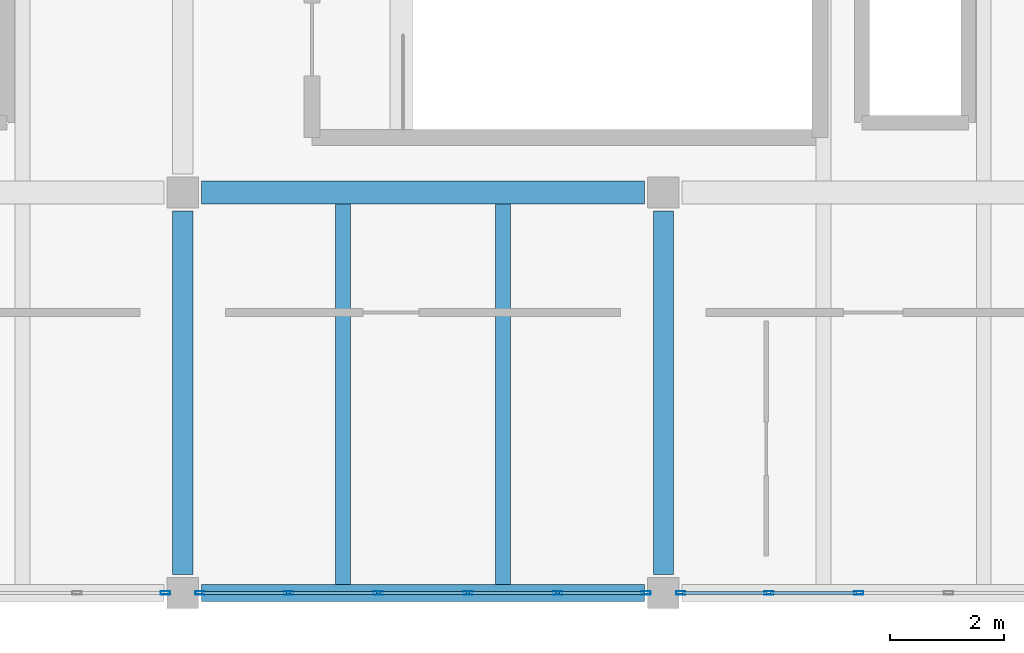
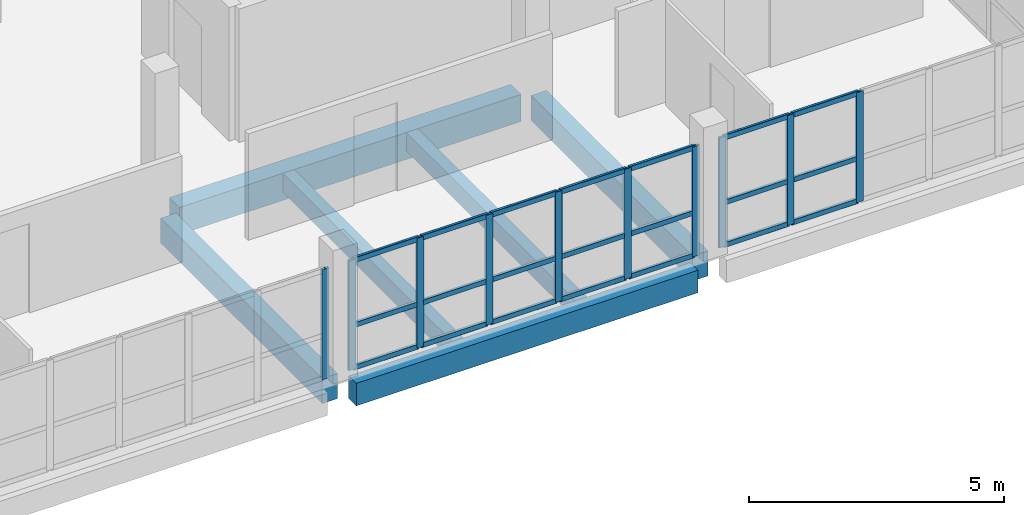
# One storey, part 6 of 24: 31 members, 6 beams, 3 elements without a shape of their own.
"""IFC4 building model written with IfcOpenShell, lengths in metres."""

from ifc_helpers import new_model, si_unit, direction, frame, origin, origin_2d, place, context, subcontext, project, spatial, rectangle, hollow_rectangle, extrude, material, layer, layer_set, material_profile, profile_set, type_object, element, aggregate, save


model = new_model("IFC4")

# Units and contexts
model_context = context("Model", 3, precision=1e-05, world=origin(), true_north=direction((0.0, 1.0)))
body_context = subcontext(model_context, "Body", "Model", "MODEL_VIEW")
ifc_project = project(units=[si_unit("LENGTHUNIT", "METRE"), si_unit("AREAUNIT", "SQUARE_METRE"), si_unit("VOLUMEUNIT", "CUBIC_METRE"), si_unit("PLANEANGLEUNIT", "RADIAN"), si_unit("MASSUNIT", "GRAM", prefix="KILO"), si_unit("THERMODYNAMICTEMPERATUREUNIT", "KELVIN"), si_unit("POWERUNIT", "WATT")], contexts=[model_context])

# Site, building, storey
site_placement = place(None, origin())
site = spatial("IfcSite", under=ifc_project, at=site_placement, CompositionType="ELEMENT")
building_placement = place(site_placement, origin())
building = spatial("IfcBuilding", under=site, at=building_placement, Name="Mavoryth Pier Ferry Terminal", CompositionType="ELEMENT")
storey_placement = place(building_placement, frame((0.0, 0.0, 16.320068359375)))
storey = spatial("IfcBuildingStorey", under=building, at=storey_placement, Name="L04", CompositionType="ELEMENT", Elevation=16.320068359375)

# Beams
ifc_material_1 = material(Name="Concrete C35/45", Category="concrete")
ifc_material_profile_1 = material_profile(ifc_material_1, rectangle(XDim=0.35009765625, YDim=0.60009765625, at=origin_2d()), Name="RC 350x600", Category="concrete")
ifc_profile_set_1 = profile_set([ifc_material_profile_1], Name="Concrete C35/45 - RC 350x600")
beam_type_1 = type_object("IfcBeamType", Name="Girder-RC-350x600", PredefinedType="BEAM", material=ifc_profile_set_1)
for number, where, z_axis, x_axis, name in (
    (1, (58.800048828125, 0.324951171875, -0.56005859375), (0.0, 1.0, 0.0), (-1.0, 0.0, 0.0), "Beam B04-BG08-1482"),
    (2, (67.199951171875, 0.324951171875, -0.56005859375), (0.0, 1.0, 0.0), (-1.0, 0.0, 0.0), "Beam B04-BG08-1484"),
):
    element("IfcBeam", number, at=place(storey_placement, frame(where, z_axis=z_axis, x_axis=x_axis)), inside=storey, type_object=beam_type_1, Name=name, PredefinedType="BEAM", context=body_context, shape_type="SweptSolid", body=[
        extrude(rectangle(XDim=0.35009765625, YDim=0.60009765625, at=origin_2d()), origin(), (0.0, 0.0, 1.0), 6.35009765625),
    ])
ifc_material_profile_2 = material_profile(ifc_material_1, rectangle(XDim=0.39990234375, YDim=0.64990234375, at=origin_2d()), Name="RC 400x650", Category="concrete")
ifc_profile_set_2 = profile_set([ifc_material_profile_2], Name="Concrete C35/45 - RC 400x650")
beam_type_2 = type_object("IfcBeamType", Name="Girder-RC-400x650", PredefinedType="BEAM", material=ifc_profile_set_2)
beam_1_placement = place(storey_placement, frame((59.125, 7.0, -0.5849609375), z_axis=(1.0, 0.0, 0.0), x_axis=(0.0, 1.0, 0.0)))
element("IfcBeam", 3, at=beam_1_placement, inside=storey, type_object=beam_type_2, Name="Beam B04-BG05-1464", PredefinedType="BEAM", context=body_context, shape_type="SweptSolid", body=[
    extrude(rectangle(XDim=0.39990234375, YDim=0.64990234375, at=origin_2d()), origin(), (0.0, 0.0, 1.0), 7.75),
])
ifc_material_profile_3 = material_profile(ifc_material_1, rectangle(XDim=0.260009765625, YDim=0.449951171875, at=origin_2d()), Name="RC 260x450", Category="concrete")
ifc_profile_set_3 = profile_set([ifc_material_profile_3], Name="Concrete C35/45 - RC 260x450")
beam_type_3 = type_object("IfcBeamType", Name="Joist-RC-260x450", PredefinedType="JOIST", material=ifc_profile_set_3)
for number, where, z_axis, x_axis, name in (
    (4, (61.60009765625, 0.14990234375, -0.485107421875), (0.0, 1.0, 0.0), (-1.0, 0.0, 0.0), "Beam B04-BJ03-1502"),
    (5, (64.39990234375, 0.14990234375, -0.485107421875), (0.0, 1.0, 0.0), (-1.0, 0.0, 0.0), "Beam B04-BJ03-1503"),
):
    element("IfcBeam", number, at=place(storey_placement, frame(where, z_axis=z_axis, x_axis=x_axis)), inside=storey, type_object=beam_type_3, Name=name, PredefinedType="JOIST", context=body_context, shape_type="SweptSolid", body=[
        extrude(rectangle(XDim=0.260009765625, YDim=0.449951171875, at=origin_2d()), origin(), (0.0, 0.0, 1.0), 6.650146484375),
    ])

# Curtain wall, member
ifc_material_2 = material(Name="Anodised Aluminium and Solar-Control Low-E Glass", Category="aluminium")
ifc_layer = layer(ifc_material_2, 0.260009765625, Name="Anodised Aluminium and Solar-Control Low-E Glass", Category="aluminium")
ifc_layer_set = layer_set([ifc_layer], Name="Anodised Aluminium and Solar-Control Low-E Glass - CW-VTSBridge-Mod1500")
curtain_wall_type = type_object("IfcCurtainWallType", Name="CW-VTSBridge-Mod1500", PredefinedType="USERDEFINED", material=ifc_layer_set)
curtain_wall_1_placement = place(storey_placement, origin())
curtain_wall_1 = element("IfcCurtainWall", 6, at=curtain_wall_1_placement, inside=storey, type_object=curtain_wall_type, Name="Curtain Wall CW-0422-151", ObjectType="UNITISED CURTAIN WALL", PredefinedType="USERDEFINED")
ifc_material_3 = material(Name="Anodised Aluminium EN AW-6063", Category="aluminium")
ifc_material_profile_4 = material_profile(ifc_material_3, hollow_rectangle(XDim=0.06005859375, YDim=0.1650390625, WallThickness=0.00390625, InnerFilletRadius=0.00390625, OuterFilletRadius=0.008056640625, at=origin_2d()), Name="AL-MULL 165x60x4", Category="aluminium")
ifc_profile_set_4 = profile_set([ifc_material_profile_4], Name="Anodised Aluminium EN AW-6063 - AL-MULL 165x60x4")
member_type_1 = type_object("IfcMemberType", Name="Mullion-Alum-165x60", PredefinedType="MULLION", material=ifc_profile_set_4)
member_1_placement = place(storey_placement, frame((58.4951171875, 0.0, 0.0), z_axis=(0.0, 0.0, 1.0), x_axis=(0.0, 1.0, 0.0)))
member_1 = element("IfcMember", 7, at=member_1_placement, type_object=member_type_1, Name="CW07 mullion 6", PredefinedType="MULLION", context=body_context, shape_type="SweptSolid", body=[
    extrude(hollow_rectangle(XDim=0.06005859375, YDim=0.1650390625, WallThickness=0.00390625, InnerFilletRadius=0.00390625, OuterFilletRadius=0.008056640625, at=origin_2d()), origin(), (0.0, 0.0, 1.0), 2.635009765625),
])
aggregate(curtain_wall_1, [member_1])

# Curtain wall, members
curtain_wall_2_placement = place(storey_placement, origin())
curtain_wall_2 = element("IfcCurtainWall", 8, at=curtain_wall_2_placement, inside=storey, type_object=curtain_wall_type, Name="Curtain Wall CW-0422-153", ObjectType="UNITISED CURTAIN WALL", PredefinedType="USERDEFINED")
member_2_placement = place(storey_placement, frame((59.10498046875, 0.0, 0.0), z_axis=(0.0, 0.0, 1.0), x_axis=(0.0, 1.0, 0.0)))
member_2 = element("IfcMember", 9, at=member_2_placement, type_object=member_type_1, Name="CW07 mullion 1", PredefinedType="MULLION", context=body_context, shape_type="SweptSolid", body=[
    extrude(hollow_rectangle(XDim=0.06005859375, YDim=0.1650390625, WallThickness=0.00390625, InnerFilletRadius=0.00390625, OuterFilletRadius=0.008056640625, at=origin_2d()), origin(), (0.0, 0.0, 1.0), 2.635009765625),
])
member_3_placement = place(storey_placement, frame((60.64501953125, 0.0, 0.0), z_axis=(0.0, 0.0, 1.0), x_axis=(0.0, 1.0, 0.0)))
member_3 = element("IfcMember", 10, at=member_3_placement, type_object=member_type_1, Name="CW07 mullion 2", PredefinedType="MULLION", context=body_context, shape_type="SweptSolid", body=[
    extrude(hollow_rectangle(XDim=0.06005859375, YDim=0.1650390625, WallThickness=0.00390625, InnerFilletRadius=0.00390625, OuterFilletRadius=0.008056640625, at=origin_2d()), origin(), (0.0, 0.0, 1.0), 2.635009765625),
])
member_4_placement = place(storey_placement, frame((62.215087890625, 0.0, 0.0), z_axis=(0.0, 0.0, 1.0), x_axis=(0.0, 1.0, 0.0)))
member_4 = element("IfcMember", 11, at=member_4_placement, type_object=member_type_1, Name="CW07 mullion 3", PredefinedType="MULLION", context=body_context, shape_type="SweptSolid", body=[
    extrude(hollow_rectangle(XDim=0.06005859375, YDim=0.1650390625, WallThickness=0.00390625, InnerFilletRadius=0.00390625, OuterFilletRadius=0.008056640625, at=origin_2d()), origin(), (0.0, 0.0, 1.0), 2.635009765625),
])
member_5_placement = place(storey_placement, frame((63.784912109375, 0.0, 0.0), z_axis=(0.0, 0.0, 1.0), x_axis=(0.0, 1.0, 0.0)))
member_5 = element("IfcMember", 12, at=member_5_placement, type_object=member_type_1, Name="CW07 mullion 4", PredefinedType="MULLION", context=body_context, shape_type="SweptSolid", body=[
    extrude(hollow_rectangle(XDim=0.06005859375, YDim=0.1650390625, WallThickness=0.00390625, InnerFilletRadius=0.00390625, OuterFilletRadius=0.008056640625, at=origin_2d()), origin(), (0.0, 0.0, 1.0), 2.635009765625),
])
member_6_placement = place(storey_placement, frame((65.35498046875, 0.0, 0.0), z_axis=(0.0, 0.0, 1.0), x_axis=(0.0, 1.0, 0.0)))
member_6 = element("IfcMember", 13, at=member_6_placement, type_object=member_type_1, Name="CW07 mullion 5", PredefinedType="MULLION", context=body_context, shape_type="SweptSolid", body=[
    extrude(hollow_rectangle(XDim=0.06005859375, YDim=0.1650390625, WallThickness=0.00390625, InnerFilletRadius=0.00390625, OuterFilletRadius=0.008056640625, at=origin_2d()), origin(), (0.0, 0.0, 1.0), 2.635009765625),
])
member_7_placement = place(storey_placement, frame((66.89501953125, 0.0, 0.0), z_axis=(0.0, 0.0, 1.0), x_axis=(0.0, 1.0, 0.0)))
member_7 = element("IfcMember", 14, at=member_7_placement, type_object=member_type_1, Name="CW07 mullion 6", PredefinedType="MULLION", context=body_context, shape_type="SweptSolid", body=[
    extrude(hollow_rectangle(XDim=0.06005859375, YDim=0.1650390625, WallThickness=0.00390625, InnerFilletRadius=0.00390625, OuterFilletRadius=0.008056640625, at=origin_2d()), origin(), (0.0, 0.0, 1.0), 2.635009765625),
])

curtain_wall_3_placement = place(storey_placement, origin())
curtain_wall_3 = element("IfcCurtainWall", 15, at=curtain_wall_3_placement, inside=storey, type_object=curtain_wall_type, Name="Curtain Wall CW-0422-155", ObjectType="UNITISED CURTAIN WALL", PredefinedType="USERDEFINED")
member_8_placement = place(storey_placement, frame((67.5048828125, 0.0, 0.0), z_axis=(0.0, 0.0, 1.0), x_axis=(0.0, 1.0, 0.0)))
member_8 = element("IfcMember", 16, at=member_8_placement, type_object=member_type_1, Name="CW07 mullion 1", PredefinedType="MULLION", context=body_context, shape_type="SweptSolid", body=[
    extrude(hollow_rectangle(XDim=0.06005859375, YDim=0.1650390625, WallThickness=0.00390625, InnerFilletRadius=0.00390625, OuterFilletRadius=0.008056640625, at=origin_2d()), origin(), (0.0, 0.0, 1.0), 2.635009765625),
])
member_9_placement = place(storey_placement, frame((69.044921875, 0.0, 0.0), z_axis=(0.0, 0.0, 1.0), x_axis=(0.0, 1.0, 0.0)))
member_9 = element("IfcMember", 17, at=member_9_placement, type_object=member_type_1, Name="CW07 mullion 2", PredefinedType="MULLION", context=body_context, shape_type="SweptSolid", body=[
    extrude(hollow_rectangle(XDim=0.06005859375, YDim=0.1650390625, WallThickness=0.00390625, InnerFilletRadius=0.00390625, OuterFilletRadius=0.008056640625, at=origin_2d()), origin(), (0.0, 0.0, 1.0), 2.635009765625),
])
member_10_placement = place(storey_placement, frame((70.614990234375, 0.0, 0.0), z_axis=(0.0, 0.0, 1.0), x_axis=(0.0, 1.0, 0.0)))
member_10 = element("IfcMember", 18, at=member_10_placement, type_object=member_type_1, Name="CW07 mullion 3", PredefinedType="MULLION", context=body_context, shape_type="SweptSolid", body=[
    extrude(hollow_rectangle(XDim=0.06005859375, YDim=0.1650390625, WallThickness=0.00390625, InnerFilletRadius=0.00390625, OuterFilletRadius=0.008056640625, at=origin_2d()), origin(), (0.0, 0.0, 1.0), 2.635009765625),
])

# Beam
ifc_material_profile_5 = material_profile(ifc_material_1, rectangle(XDim=0.300048828125, YDim=0.5400390625, at=origin_2d()), Name="RC 300x540", Category="concrete")
ifc_profile_set_5 = profile_set([ifc_material_profile_5], Name="Concrete C35/45 - RC 300x540")
beam_type_4 = type_object("IfcBeamType", Name="Spandrel-RC-300x540", PredefinedType="SPANDREL", material=ifc_profile_set_5)
beam_2_placement = place(storey_placement, frame((59.125, 0.0, -0.530029296875), z_axis=(1.0, 0.0, 0.0), x_axis=(0.0, 1.0, 0.0)))
element("IfcBeam", 19, at=beam_2_placement, inside=storey, type_object=beam_type_4, Name="Beam B04-SP02-1459", PredefinedType="SPANDREL", context=body_context, shape_type="SweptSolid", body=[
    extrude(rectangle(XDim=0.300048828125, YDim=0.5400390625, at=origin_2d()), origin(), (0.0, 0.0, 1.0), 7.75),
])

# Member
ifc_material_profile_6 = material_profile(ifc_material_3, hollow_rectangle(XDim=0.06005859375, YDim=0.125, WallThickness=0.00390625, InnerFilletRadius=0.00390625, OuterFilletRadius=0.008056640625, at=origin_2d()), Name="AL-TRAN 125x60x4", Category="aluminium")
ifc_profile_set_6 = profile_set([ifc_material_profile_6], Name="Anodised Aluminium EN AW-6063 - AL-TRAN 125x60x4")
member_type_2 = type_object("IfcMemberType", Name="Transom-Alum-125x60", PredefinedType="USERDEFINED", material=ifc_profile_set_6)
member_11_placement = place(storey_placement, frame((59.135009765625, 0.0, 0.030029296875), z_axis=(1.0, 0.0, 0.0), x_axis=(0.0, 1.0, 0.0)))
member_11 = element("IfcMember", 20, at=member_11_placement, type_object=member_type_2, Name="CW07 transom 1.1", ObjectType="TRANSOM", PredefinedType="USERDEFINED", context=body_context, shape_type="SweptSolid", body=[
    extrude(hollow_rectangle(XDim=0.06005859375, YDim=0.125, WallThickness=0.00390625, InnerFilletRadius=0.00390625, OuterFilletRadius=0.008056640625, at=origin_2d()), origin(), (0.0, 0.0, 1.0), 1.47998046875),
])

member_12_placement = place(storey_placement, frame((59.135009765625, 0.0, 1.050048828125), z_axis=(1.0, 0.0, 0.0), x_axis=(0.0, 1.0, 0.0)))
member_12 = element("IfcMember", 21, at=member_12_placement, type_object=member_type_2, Name="CW07 transom 1.2", ObjectType="TRANSOM", PredefinedType="USERDEFINED", context=body_context, shape_type="SweptSolid", body=[
    extrude(hollow_rectangle(XDim=0.06005859375, YDim=0.125, WallThickness=0.00390625, InnerFilletRadius=0.00390625, OuterFilletRadius=0.008056640625, at=origin_2d()), origin(), (0.0, 0.0, 1.0), 1.47998046875),
])

member_13_placement = place(storey_placement, frame((59.135009765625, 0.0, 2.60498046875), z_axis=(1.0, 0.0, 0.0), x_axis=(0.0, 1.0, 0.0)))
member_13 = element("IfcMember", 22, at=member_13_placement, type_object=member_type_2, Name="CW07 transom 1.3", ObjectType="TRANSOM", PredefinedType="USERDEFINED", context=body_context, shape_type="SweptSolid", body=[
    extrude(hollow_rectangle(XDim=0.06005859375, YDim=0.125, WallThickness=0.00390625, InnerFilletRadius=0.00390625, OuterFilletRadius=0.008056640625, at=origin_2d()), origin(), (0.0, 0.0, 1.0), 1.47998046875),
])

member_14_placement = place(storey_placement, frame((60.675048828125, 0.0, 0.030029296875), z_axis=(1.0, 0.0, 0.0), x_axis=(0.0, 1.0, 0.0)))
member_14 = element("IfcMember", 23, at=member_14_placement, type_object=member_type_2, Name="CW07 transom 2.1", ObjectType="TRANSOM", PredefinedType="USERDEFINED", context=body_context, shape_type="SweptSolid", body=[
    extrude(hollow_rectangle(XDim=0.06005859375, YDim=0.125, WallThickness=0.00390625, InnerFilletRadius=0.00390625, OuterFilletRadius=0.008056640625, at=origin_2d()), origin(), (0.0, 0.0, 1.0), 1.510009765625),
])

member_15_placement = place(storey_placement, frame((60.675048828125, 0.0, 1.050048828125), z_axis=(1.0, 0.0, 0.0), x_axis=(0.0, 1.0, 0.0)))
member_15 = element("IfcMember", 24, at=member_15_placement, type_object=member_type_2, Name="CW07 transom 2.2", ObjectType="TRANSOM", PredefinedType="USERDEFINED", context=body_context, shape_type="SweptSolid", body=[
    extrude(hollow_rectangle(XDim=0.06005859375, YDim=0.125, WallThickness=0.00390625, InnerFilletRadius=0.00390625, OuterFilletRadius=0.008056640625, at=origin_2d()), origin(), (0.0, 0.0, 1.0), 1.510009765625),
])

member_16_placement = place(storey_placement, frame((60.675048828125, 0.0, 2.60498046875), z_axis=(1.0, 0.0, 0.0), x_axis=(0.0, 1.0, 0.0)))
member_16 = element("IfcMember", 25, at=member_16_placement, type_object=member_type_2, Name="CW07 transom 2.3", ObjectType="TRANSOM", PredefinedType="USERDEFINED", context=body_context, shape_type="SweptSolid", body=[
    extrude(hollow_rectangle(XDim=0.06005859375, YDim=0.125, WallThickness=0.00390625, InnerFilletRadius=0.00390625, OuterFilletRadius=0.008056640625, at=origin_2d()), origin(), (0.0, 0.0, 1.0), 1.510009765625),
])

member_17_placement = place(storey_placement, frame((62.2451171875, 0.0, 0.030029296875), z_axis=(1.0, 0.0, 0.0), x_axis=(0.0, 1.0, 0.0)))
member_17 = element("IfcMember", 26, at=member_17_placement, type_object=member_type_2, Name="CW07 transom 3.1", ObjectType="TRANSOM", PredefinedType="USERDEFINED", context=body_context, shape_type="SweptSolid", body=[
    extrude(hollow_rectangle(XDim=0.06005859375, YDim=0.125, WallThickness=0.00390625, InnerFilletRadius=0.00390625, OuterFilletRadius=0.008056640625, at=origin_2d()), origin(), (0.0, 0.0, 1.0), 1.509765625),
])

member_18_placement = place(storey_placement, frame((62.2451171875, 0.0, 1.050048828125), z_axis=(1.0, 0.0, 0.0), x_axis=(0.0, 1.0, 0.0)))
member_18 = element("IfcMember", 27, at=member_18_placement, type_object=member_type_2, Name="CW07 transom 3.2", ObjectType="TRANSOM", PredefinedType="USERDEFINED", context=body_context, shape_type="SweptSolid", body=[
    extrude(hollow_rectangle(XDim=0.06005859375, YDim=0.125, WallThickness=0.00390625, InnerFilletRadius=0.00390625, OuterFilletRadius=0.008056640625, at=origin_2d()), origin(), (0.0, 0.0, 1.0), 1.509765625),
])

member_19_placement = place(storey_placement, frame((62.2451171875, 0.0, 2.60498046875), z_axis=(1.0, 0.0, 0.0), x_axis=(0.0, 1.0, 0.0)))
member_19 = element("IfcMember", 28, at=member_19_placement, type_object=member_type_2, Name="CW07 transom 3.3", ObjectType="TRANSOM", PredefinedType="USERDEFINED", context=body_context, shape_type="SweptSolid", body=[
    extrude(hollow_rectangle(XDim=0.06005859375, YDim=0.125, WallThickness=0.00390625, InnerFilletRadius=0.00390625, OuterFilletRadius=0.008056640625, at=origin_2d()), origin(), (0.0, 0.0, 1.0), 1.509765625),
])

member_20_placement = place(storey_placement, frame((63.81494140625, 0.0, 0.030029296875), z_axis=(1.0, 0.0, 0.0), x_axis=(0.0, 1.0, 0.0)))
member_20 = element("IfcMember", 29, at=member_20_placement, type_object=member_type_2, Name="CW07 transom 4.1", ObjectType="TRANSOM", PredefinedType="USERDEFINED", context=body_context, shape_type="SweptSolid", body=[
    extrude(hollow_rectangle(XDim=0.06005859375, YDim=0.125, WallThickness=0.00390625, InnerFilletRadius=0.00390625, OuterFilletRadius=0.008056640625, at=origin_2d()), origin(), (0.0, 0.0, 1.0), 1.510009765625),
])

member_21_placement = place(storey_placement, frame((63.81494140625, 0.0, 1.050048828125), z_axis=(1.0, 0.0, 0.0), x_axis=(0.0, 1.0, 0.0)))
member_21 = element("IfcMember", 30, at=member_21_placement, type_object=member_type_2, Name="CW07 transom 4.2", ObjectType="TRANSOM", PredefinedType="USERDEFINED", context=body_context, shape_type="SweptSolid", body=[
    extrude(hollow_rectangle(XDim=0.06005859375, YDim=0.125, WallThickness=0.00390625, InnerFilletRadius=0.00390625, OuterFilletRadius=0.008056640625, at=origin_2d()), origin(), (0.0, 0.0, 1.0), 1.510009765625),
])

member_22_placement = place(storey_placement, frame((63.81494140625, 0.0, 2.60498046875), z_axis=(1.0, 0.0, 0.0), x_axis=(0.0, 1.0, 0.0)))
member_22 = element("IfcMember", 31, at=member_22_placement, type_object=member_type_2, Name="CW07 transom 4.3", ObjectType="TRANSOM", PredefinedType="USERDEFINED", context=body_context, shape_type="SweptSolid", body=[
    extrude(hollow_rectangle(XDim=0.06005859375, YDim=0.125, WallThickness=0.00390625, InnerFilletRadius=0.00390625, OuterFilletRadius=0.008056640625, at=origin_2d()), origin(), (0.0, 0.0, 1.0), 1.510009765625),
])

member_23_placement = place(storey_placement, frame((65.385009765625, 0.0, 0.030029296875), z_axis=(1.0, 0.0, 0.0), x_axis=(0.0, 1.0, 0.0)))
member_23 = element("IfcMember", 32, at=member_23_placement, type_object=member_type_2, Name="CW07 transom 5.1", ObjectType="TRANSOM", PredefinedType="USERDEFINED", context=body_context, shape_type="SweptSolid", body=[
    extrude(hollow_rectangle(XDim=0.06005859375, YDim=0.125, WallThickness=0.00390625, InnerFilletRadius=0.00390625, OuterFilletRadius=0.008056640625, at=origin_2d()), origin(), (0.0, 0.0, 1.0), 1.47998046875),
])

member_24_placement = place(storey_placement, frame((65.385009765625, 0.0, 1.050048828125), z_axis=(1.0, 0.0, 0.0), x_axis=(0.0, 1.0, 0.0)))
member_24 = element("IfcMember", 33, at=member_24_placement, type_object=member_type_2, Name="CW07 transom 5.2", ObjectType="TRANSOM", PredefinedType="USERDEFINED", context=body_context, shape_type="SweptSolid", body=[
    extrude(hollow_rectangle(XDim=0.06005859375, YDim=0.125, WallThickness=0.00390625, InnerFilletRadius=0.00390625, OuterFilletRadius=0.008056640625, at=origin_2d()), origin(), (0.0, 0.0, 1.0), 1.47998046875),
])

member_25_placement = place(storey_placement, frame((65.385009765625, 0.0, 2.60498046875), z_axis=(1.0, 0.0, 0.0), x_axis=(0.0, 1.0, 0.0)))
member_25 = element("IfcMember", 34, at=member_25_placement, type_object=member_type_2, Name="CW07 transom 5.3", ObjectType="TRANSOM", PredefinedType="USERDEFINED", context=body_context, shape_type="SweptSolid", body=[
    extrude(hollow_rectangle(XDim=0.06005859375, YDim=0.125, WallThickness=0.00390625, InnerFilletRadius=0.00390625, OuterFilletRadius=0.008056640625, at=origin_2d()), origin(), (0.0, 0.0, 1.0), 1.47998046875),
])

aggregate(curtain_wall_2, [member_2, member_3, member_4, member_5, member_6, member_7, member_11, member_12, member_13, member_14, member_15, member_16, member_17, member_18, member_19, member_20, member_21, member_22, member_23, member_24, member_25])

member_26_placement = place(storey_placement, frame((67.534912109375, 0.0, 0.030029296875), z_axis=(1.0, 0.0, 0.0), x_axis=(0.0, 1.0, 0.0)))
member_26 = element("IfcMember", 35, at=member_26_placement, type_object=member_type_2, Name="CW07 transom 1.1", ObjectType="TRANSOM", PredefinedType="USERDEFINED", context=body_context, shape_type="SweptSolid", body=[
    extrude(hollow_rectangle(XDim=0.06005859375, YDim=0.125, WallThickness=0.00390625, InnerFilletRadius=0.00390625, OuterFilletRadius=0.008056640625, at=origin_2d()), origin(), (0.0, 0.0, 1.0), 1.47998046875),
])

member_27_placement = place(storey_placement, frame((67.534912109375, 0.0, 1.050048828125), z_axis=(1.0, 0.0, 0.0), x_axis=(0.0, 1.0, 0.0)))
member_27 = element("IfcMember", 36, at=member_27_placement, type_object=member_type_2, Name="CW07 transom 1.2", ObjectType="TRANSOM", PredefinedType="USERDEFINED", context=body_context, shape_type="SweptSolid", body=[
    extrude(hollow_rectangle(XDim=0.06005859375, YDim=0.125, WallThickness=0.00390625, InnerFilletRadius=0.00390625, OuterFilletRadius=0.008056640625, at=origin_2d()), origin(), (0.0, 0.0, 1.0), 1.47998046875),
])

member_28_placement = place(storey_placement, frame((67.534912109375, 0.0, 2.60498046875), z_axis=(1.0, 0.0, 0.0), x_axis=(0.0, 1.0, 0.0)))
member_28 = element("IfcMember", 37, at=member_28_placement, type_object=member_type_2, Name="CW07 transom 1.3", ObjectType="TRANSOM", PredefinedType="USERDEFINED", context=body_context, shape_type="SweptSolid", body=[
    extrude(hollow_rectangle(XDim=0.06005859375, YDim=0.125, WallThickness=0.00390625, InnerFilletRadius=0.00390625, OuterFilletRadius=0.008056640625, at=origin_2d()), origin(), (0.0, 0.0, 1.0), 1.47998046875),
])

member_29_placement = place(storey_placement, frame((69.074951171875, 0.0, 0.030029296875), z_axis=(1.0, 0.0, 0.0), x_axis=(0.0, 1.0, 0.0)))
member_29 = element("IfcMember", 38, at=member_29_placement, type_object=member_type_2, Name="CW07 transom 2.1", ObjectType="TRANSOM", PredefinedType="USERDEFINED", context=body_context, shape_type="SweptSolid", body=[
    extrude(hollow_rectangle(XDim=0.06005859375, YDim=0.125, WallThickness=0.00390625, InnerFilletRadius=0.00390625, OuterFilletRadius=0.008056640625, at=origin_2d()), origin(), (0.0, 0.0, 1.0), 1.510009765625),
])

member_30_placement = place(storey_placement, frame((69.074951171875, 0.0, 1.050048828125), z_axis=(1.0, 0.0, 0.0), x_axis=(0.0, 1.0, 0.0)))
member_30 = element("IfcMember", 39, at=member_30_placement, type_object=member_type_2, Name="CW07 transom 2.2", ObjectType="TRANSOM", PredefinedType="USERDEFINED", context=body_context, shape_type="SweptSolid", body=[
    extrude(hollow_rectangle(XDim=0.06005859375, YDim=0.125, WallThickness=0.00390625, InnerFilletRadius=0.00390625, OuterFilletRadius=0.008056640625, at=origin_2d()), origin(), (0.0, 0.0, 1.0), 1.510009765625),
])

member_31_placement = place(storey_placement, frame((69.074951171875, 0.0, 2.60498046875), z_axis=(1.0, 0.0, 0.0), x_axis=(0.0, 1.0, 0.0)))
member_31 = element("IfcMember", 40, at=member_31_placement, type_object=member_type_2, Name="CW07 transom 2.3", ObjectType="TRANSOM", PredefinedType="USERDEFINED", context=body_context, shape_type="SweptSolid", body=[
    extrude(hollow_rectangle(XDim=0.06005859375, YDim=0.125, WallThickness=0.00390625, InnerFilletRadius=0.00390625, OuterFilletRadius=0.008056640625, at=origin_2d()), origin(), (0.0, 0.0, 1.0), 1.510009765625),
])

aggregate(curtain_wall_3, [member_8, member_9, member_10, member_26, member_27, member_28, member_29, member_30, member_31])

save(model, "model.ifc")
